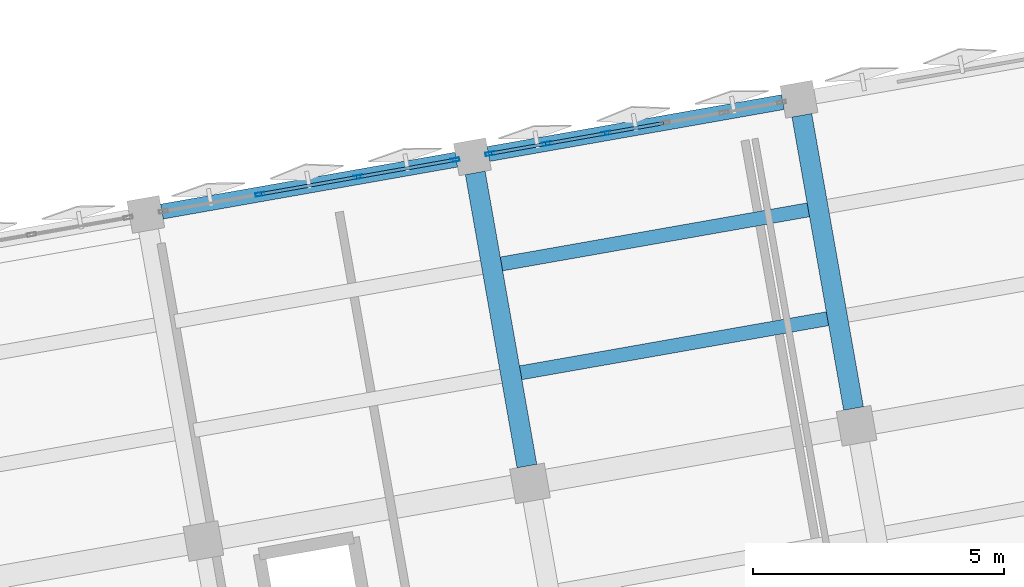
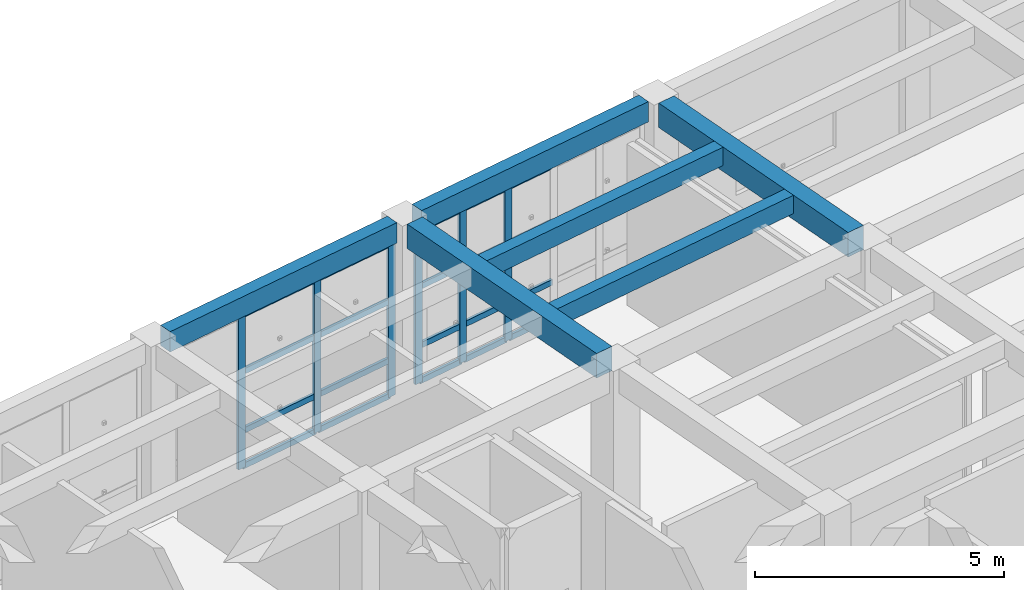
# One storey, part 8 of 39: 26 members, 6 beams, 2 elements without a shape of their own.
"""IFC4 building model written with IfcOpenShell, lengths in metres."""

from ifc_helpers import new_model, si_unit, direction, frame, origin, origin_2d, place, context, subcontext, project, spatial, rectangle, hollow_rectangle, extrude, material, layer, layer_set, material_profile, profile_set, type_object, element, aggregate, save


model = new_model("IFC4")

# Units and contexts
model_context = context("Model", 3, precision=1e-05, world=origin(), true_north=direction((0.0, 1.0)))
body_context = subcontext(model_context, "Body", "Model", "MODEL_VIEW")
ifc_project = project(units=[si_unit("LENGTHUNIT", "METRE"), si_unit("AREAUNIT", "SQUARE_METRE"), si_unit("VOLUMEUNIT", "CUBIC_METRE"), si_unit("PLANEANGLEUNIT", "RADIAN"), si_unit("MASSUNIT", "GRAM", prefix="KILO")], contexts=[model_context])

# Site, building, storey
site_placement = place(None, origin())
site = spatial("IfcSite", under=ifc_project, at=site_placement, CompositionType="ELEMENT")
building_placement = place(site_placement, origin())
building = spatial("IfcBuilding", under=site, at=building_placement, Name="Kharisveld Research Institute", CompositionType="ELEMENT")
storey_placement = place(building_placement, frame((0.0, 0.0, 23.10009765625)))
storey = spatial("IfcBuildingStorey", under=building, at=storey_placement, Name="L05", CompositionType="ELEMENT", Elevation=23.10009765625)

# Beams
ifc_material_1 = material(Name="Concrete C40/50", Category="concrete")
ifc_material_profile_1 = material_profile(ifc_material_1, rectangle(XDim=0.39990234375, YDim=0.60009765625, at=origin_2d()))
ifc_profile_set_1 = profile_set([ifc_material_profile_1], Name="Concrete C40/50")
beam_type_1 = type_object("IfcBeamType", Name="BM_RC_400x600", PredefinedType="BEAM", material=ifc_profile_set_1)
for number, where, z_axis, x_axis, name in (
    (1, (22.34619140625, 51.79248046875, 4.010009765625), (-0.173639592071, 0.984809266846, 0.0), (-0.984809266846, -0.173639592071, 0.0), "BM:V1:L05:V3_2"),
    (2, (28.845947265625, 52.9384765625, 4.010009765625), (-0.173639592071, 0.984809266846, 0.0), (-0.984809266846, -0.173639592071, 0.0), "BM:V1:L05:V4_2"),
):
    element("IfcBeam", number, at=place(storey_placement, frame(where, z_axis=z_axis, x_axis=x_axis)), inside=storey, type_object=beam_type_1, Name=name, PredefinedType="BEAM", context=body_context, shape_type="SweptSolid", body=[
        extrude(rectangle(XDim=0.39990234375, YDim=0.60009765625, at=origin_2d()), origin(), (0.0, 0.0, 1.0), 5.925048828125),
    ])

# Curtain wall, members
ifc_material_2 = material(Name="Thermally Broken Aluminium Curtain Wall", Category="aluminium")
ifc_layer_1 = layer(ifc_material_2, 0.159912109375)
ifc_layer_set_1 = layer_set([ifc_layer_1], Name="CW_SYS_06")
curtain_wall_type_1 = type_object("IfcCurtainWallType", Name="CW_SYS_06", PredefinedType="NOTDEFINED", material=ifc_layer_set_1)
curtain_wall_1_placement = place(storey_placement, origin())
curtain_wall_1 = element("IfcCurtainWall", 3, at=curtain_wall_1_placement, inside=storey, type_object=curtain_wall_type_1, Name="CW:V1:L05:N2", PredefinedType="NOTDEFINED")
ifc_material_3 = material(Name="Anodised Aluminium AW-6063-T6", Category="aluminium")
ifc_material_profile_2 = material_profile(ifc_material_3, hollow_rectangle(XDim=0.070068359375, YDim=0.179931640625, WallThickness=0.00439453125, at=origin_2d()))
ifc_profile_set_2 = profile_set([ifc_material_profile_2], Name="Anodised Aluminium AW-6063-T6")
member_type_1 = type_object("IfcMemberType", Name="CW_MUL_180", PredefinedType="MULLION", material=ifc_profile_set_2)
member_1_placement = place(storey_placement, frame((17.032958984375, 57.201904296875, 0.0), z_axis=(0.0, 0.0, 1.0), x_axis=(-0.173648266375, 0.984807737371, 0.0)))
member_1 = element("IfcMember", 4, at=member_1_placement, type_object=member_type_1, Name="CW-06 mullion 2", PredefinedType="MULLION", context=body_context, shape_type="SweptSolid", body=[
    extrude(hollow_rectangle(XDim=0.070068359375, YDim=0.179931640625, WallThickness=0.00439453125, at=origin_2d()), origin(), (0.0, 0.0, 1.0), 3.77978515625),
])
member_2_placement = place(storey_placement, frame((18.9892578125, 57.546875, 0.0), z_axis=(0.0, 0.0, 1.0), x_axis=(-0.173648266375, 0.984807737371, 0.0)))
member_2 = element("IfcMember", 5, at=member_2_placement, type_object=member_type_1, Name="CW-06 mullion 3", PredefinedType="MULLION", context=body_context, shape_type="SweptSolid", body=[
    extrude(hollow_rectangle(XDim=0.070068359375, YDim=0.179931640625, WallThickness=0.00439453125, at=origin_2d()), origin(), (0.0, 0.0, 1.0), 3.77978515625),
])
member_3_placement = place(storey_placement, frame((20.911376953125, 57.8857421875, 0.0), z_axis=(0.0, 0.0, 1.0), x_axis=(-0.173648266375, 0.984807737371, 0.0)))
member_3 = element("IfcMember", 6, at=member_3_placement, type_object=member_type_1, Name="CW-06 mullion 4", PredefinedType="MULLION", context=body_context, shape_type="SweptSolid", body=[
    extrude(hollow_rectangle(XDim=0.070068359375, YDim=0.179931640625, WallThickness=0.00439453125, at=origin_2d()), origin(), (0.0, 0.0, 1.0), 3.77978515625),
])

ifc_material_4 = material(Name="Thermally Broken Aluminium Curtain Wall", Category="aluminium")
ifc_layer_2 = layer(ifc_material_4, 0.159912109375)
ifc_layer_set_2 = layer_set([ifc_layer_2], Name="CW_SYS_01")
curtain_wall_type_2 = type_object("IfcCurtainWallType", Name="CW_SYS_01", PredefinedType="NOTDEFINED", material=ifc_layer_set_2)
curtain_wall_2_placement = place(storey_placement, origin())
curtain_wall_2 = element("IfcCurtainWall", 7, at=curtain_wall_2_placement, inside=storey, type_object=curtain_wall_type_2, Name="CW:V1:L05:N3", PredefinedType="NOTDEFINED")
member_4_placement = place(storey_placement, frame((21.610595703125, 58.009033203125, 0.0), z_axis=(0.0, 0.0, 1.0), x_axis=(-0.173648295062, 0.984807732312, 0.0)))
member_4 = element("IfcMember", 8, at=member_4_placement, type_object=member_type_1, Name="CW-01 mullion 1", PredefinedType="MULLION", context=body_context, shape_type="SweptSolid", body=[
    extrude(hollow_rectangle(XDim=0.070068359375, YDim=0.179931640625, WallThickness=0.00439453125, at=origin_2d()), origin(), (0.0, 0.0, 1.0), 3.77978515625),
])
member_5_placement = place(storey_placement, frame((22.75, 58.2099609375, 0.0), z_axis=(0.0, 0.0, 1.0), x_axis=(-0.173648295062, 0.984807732312, 0.0)))
member_5 = element("IfcMember", 9, at=member_5_placement, type_object=member_type_1, Name="CW-01 mullion 2", PredefinedType="MULLION", context=body_context, shape_type="SweptSolid", body=[
    extrude(hollow_rectangle(XDim=0.070068359375, YDim=0.179931640625, WallThickness=0.00439453125, at=origin_2d()), origin(), (0.0, 0.0, 1.0), 3.77978515625),
])
member_6_placement = place(storey_placement, frame((23.923828125, 58.4169921875, 0.0), z_axis=(0.0, 0.0, 1.0), x_axis=(-0.173648295062, 0.984807732312, 0.0)))
member_6 = element("IfcMember", 10, at=member_6_placement, type_object=member_type_1, Name="CW-01 mullion 3", PredefinedType="MULLION", context=body_context, shape_type="SweptSolid", body=[
    extrude(hollow_rectangle(XDim=0.070068359375, YDim=0.179931640625, WallThickness=0.00439453125, at=origin_2d()), origin(), (0.0, 0.0, 1.0), 3.77978515625),
])

# Member
ifc_material_5 = material(Name="Anodised Aluminium AW-6063-T6", Category="aluminium")
ifc_material_profile_3 = material_profile(ifc_material_5, hollow_rectangle(XDim=0.06494140625, YDim=0.139892578125, WallThickness=0.00390625, at=origin_2d()))
ifc_profile_set_3 = profile_set([ifc_material_profile_3], Name="Anodised Aluminium AW-6063-T6")
member_type_2 = type_object("IfcMemberType", Name="CW_TRN_140", PredefinedType="USERDEFINED", material=ifc_profile_set_3)
member_7_placement = place(storey_placement, frame((17.0673828125, 57.2080078125, 0.032470703125), z_axis=(0.984811758578, 0.173625459441, 0.0), x_axis=(-0.173625459441, 0.984811758578, 0.0)))
member_7 = element("IfcMember", 11, at=member_7_placement, type_object=member_type_2, Name="CW-06 transom 2.1", ObjectType="TRANSOM", PredefinedType="USERDEFINED", context=body_context, shape_type="SweptSolid", body=[
    extrude(hollow_rectangle(XDim=0.06494140625, YDim=0.139892578125, WallThickness=0.00390625, at=origin_2d()), origin(), (0.0, 0.0, 1.0), 1.91650390625),
])

member_8_placement = place(storey_placement, frame((17.0673828125, 57.2080078125, 0.89990234375), z_axis=(0.984811758578, 0.173625459441, 0.0), x_axis=(-0.173625459441, 0.984811758578, 0.0)))
member_8 = element("IfcMember", 12, at=member_8_placement, type_object=member_type_2, Name="CW-06 transom 2.2", ObjectType="TRANSOM", PredefinedType="USERDEFINED", context=body_context, shape_type="SweptSolid", body=[
    extrude(hollow_rectangle(XDim=0.06494140625, YDim=0.139892578125, WallThickness=0.00390625, at=origin_2d()), origin(), (0.0, 0.0, 1.0), 1.91650390625),
])

member_9_placement = place(storey_placement, frame((17.0673828125, 57.2080078125, 2.349853515625), z_axis=(0.984811758578, 0.173625459441, 0.0), x_axis=(-0.173625459441, 0.984811758578, 0.0)))
member_9 = element("IfcMember", 13, at=member_9_placement, type_object=member_type_2, Name="CW-06 transom 2.3", ObjectType="TRANSOM", PredefinedType="USERDEFINED", context=body_context, shape_type="SweptSolid", body=[
    extrude(hollow_rectangle(XDim=0.06494140625, YDim=0.139892578125, WallThickness=0.00390625, at=origin_2d()), origin(), (0.0, 0.0, 1.0), 1.91650390625),
])

member_10_placement = place(storey_placement, frame((17.0673828125, 57.2080078125, 3.747314453125), z_axis=(0.984811758578, 0.173625459441, 0.0), x_axis=(-0.173625459441, 0.984811758578, 0.0)))
member_10 = element("IfcMember", 14, at=member_10_placement, type_object=member_type_2, Name="CW-06 transom 2.4", ObjectType="TRANSOM", PredefinedType="USERDEFINED", context=body_context, shape_type="SweptSolid", body=[
    extrude(hollow_rectangle(XDim=0.06494140625, YDim=0.139892578125, WallThickness=0.00390625, at=origin_2d()), origin(), (0.0, 0.0, 1.0), 1.91650390625),
])

member_11_placement = place(storey_placement, frame((19.02392578125, 57.552978515625, 0.032470703125), z_axis=(0.984814892183, 0.173607684551, 0.0), x_axis=(-0.173607684551, 0.984814892183, 0.0)))
member_11 = element("IfcMember", 15, at=member_11_placement, type_object=member_type_2, Name="CW-06 transom 3.1", ObjectType="TRANSOM", PredefinedType="USERDEFINED", context=body_context, shape_type="SweptSolid", body=[
    extrude(hollow_rectangle(XDim=0.06494140625, YDim=0.139892578125, WallThickness=0.00390625, at=origin_2d()), origin(), (0.0, 0.0, 1.0), 1.881591796875),
])

member_12_placement = place(storey_placement, frame((19.02392578125, 57.552978515625, 0.89990234375), z_axis=(0.984814892183, 0.173607684551, 0.0), x_axis=(-0.173607684551, 0.984814892183, 0.0)))
member_12 = element("IfcMember", 16, at=member_12_placement, type_object=member_type_2, Name="CW-06 transom 3.2", ObjectType="TRANSOM", PredefinedType="USERDEFINED", context=body_context, shape_type="SweptSolid", body=[
    extrude(hollow_rectangle(XDim=0.06494140625, YDim=0.139892578125, WallThickness=0.00390625, at=origin_2d()), origin(), (0.0, 0.0, 1.0), 1.881591796875),
])

member_13_placement = place(storey_placement, frame((19.02392578125, 57.552978515625, 2.349853515625), z_axis=(0.984814892183, 0.173607684551, 0.0), x_axis=(-0.173607684551, 0.984814892183, 0.0)))
member_13 = element("IfcMember", 17, at=member_13_placement, type_object=member_type_2, Name="CW-06 transom 3.3", ObjectType="TRANSOM", PredefinedType="USERDEFINED", context=body_context, shape_type="SweptSolid", body=[
    extrude(hollow_rectangle(XDim=0.06494140625, YDim=0.139892578125, WallThickness=0.00390625, at=origin_2d()), origin(), (0.0, 0.0, 1.0), 1.881591796875),
])

member_14_placement = place(storey_placement, frame((19.02392578125, 57.552978515625, 3.747314453125), z_axis=(0.984814892183, 0.173607684551, 0.0), x_axis=(-0.173607684551, 0.984814892183, 0.0)))
member_14 = element("IfcMember", 18, at=member_14_placement, type_object=member_type_2, Name="CW-06 transom 3.4", ObjectType="TRANSOM", PredefinedType="USERDEFINED", context=body_context, shape_type="SweptSolid", body=[
    extrude(hollow_rectangle(XDim=0.06494140625, YDim=0.139892578125, WallThickness=0.00390625, at=origin_2d()), origin(), (0.0, 0.0, 1.0), 1.881591796875),
])

aggregate(curtain_wall_1, [member_1, member_2, member_3, member_7, member_8, member_9, member_10, member_11, member_12, member_13, member_14])

member_15_placement = place(storey_placement, frame((21.64501953125, 58.01513671875, 0.032470703125), z_axis=(0.984815195723, 0.173605962667, 0.0), x_axis=(-0.173605962667, 0.984815195723, 0.0)))
member_15 = element("IfcMember", 19, at=member_15_placement, type_object=member_type_2, Name="CW-01 transom 1.1", ObjectType="TRANSOM", PredefinedType="USERDEFINED", context=body_context, shape_type="SweptSolid", body=[
    extrude(hollow_rectangle(XDim=0.06494140625, YDim=0.139892578125, WallThickness=0.00390625, at=origin_2d()), origin(), (0.0, 0.0, 1.0), 1.087158203125),
])

member_16_placement = place(storey_placement, frame((21.64501953125, 58.01513671875, 0.89990234375), z_axis=(0.984815195723, 0.173605962667, 0.0), x_axis=(-0.173605962667, 0.984815195723, 0.0)))
member_16 = element("IfcMember", 20, at=member_16_placement, type_object=member_type_2, Name="CW-01 transom 1.2", ObjectType="TRANSOM", PredefinedType="USERDEFINED", context=body_context, shape_type="SweptSolid", body=[
    extrude(hollow_rectangle(XDim=0.06494140625, YDim=0.139892578125, WallThickness=0.00390625, at=origin_2d()), origin(), (0.0, 0.0, 1.0), 1.087158203125),
])

member_17_placement = place(storey_placement, frame((21.64501953125, 58.01513671875, 2.349853515625), z_axis=(0.984815195723, 0.173605962667, 0.0), x_axis=(-0.173605962667, 0.984815195723, 0.0)))
member_17 = element("IfcMember", 21, at=member_17_placement, type_object=member_type_2, Name="CW-01 transom 1.3", ObjectType="TRANSOM", PredefinedType="USERDEFINED", context=body_context, shape_type="SweptSolid", body=[
    extrude(hollow_rectangle(XDim=0.06494140625, YDim=0.139892578125, WallThickness=0.00390625, at=origin_2d()), origin(), (0.0, 0.0, 1.0), 1.087158203125),
])

member_18_placement = place(storey_placement, frame((21.64501953125, 58.01513671875, 3.747314453125), z_axis=(0.984815195723, 0.173605962667, 0.0), x_axis=(-0.173605962667, 0.984815195723, 0.0)))
member_18 = element("IfcMember", 22, at=member_18_placement, type_object=member_type_2, Name="CW-01 transom 1.4", ObjectType="TRANSOM", PredefinedType="USERDEFINED", context=body_context, shape_type="SweptSolid", body=[
    extrude(hollow_rectangle(XDim=0.06494140625, YDim=0.139892578125, WallThickness=0.00390625, at=origin_2d()), origin(), (0.0, 0.0, 1.0), 1.087158203125),
])

member_19_placement = place(storey_placement, frame((22.784423828125, 58.216064453125, 0.032470703125), z_axis=(0.984809833526, 0.173636378072, 0.0), x_axis=(-0.173636378072, 0.984809833526, 0.0)))
member_19 = element("IfcMember", 23, at=member_19_placement, type_object=member_type_2, Name="CW-01 transom 2.1", ObjectType="TRANSOM", PredefinedType="USERDEFINED", context=body_context, shape_type="SweptSolid", body=[
    extrude(hollow_rectangle(XDim=0.06494140625, YDim=0.139892578125, WallThickness=0.00390625, at=origin_2d()), origin(), (0.0, 0.0, 1.0), 1.1220703125),
])

member_20_placement = place(storey_placement, frame((22.784423828125, 58.216064453125, 0.89990234375), z_axis=(0.984809833526, 0.173636378072, 0.0), x_axis=(-0.173636378072, 0.984809833526, 0.0)))
member_20 = element("IfcMember", 24, at=member_20_placement, type_object=member_type_2, Name="CW-01 transom 2.2", ObjectType="TRANSOM", PredefinedType="USERDEFINED", context=body_context, shape_type="SweptSolid", body=[
    extrude(hollow_rectangle(XDim=0.06494140625, YDim=0.139892578125, WallThickness=0.00390625, at=origin_2d()), origin(), (0.0, 0.0, 1.0), 1.1220703125),
])

member_21_placement = place(storey_placement, frame((22.784423828125, 58.216064453125, 2.349853515625), z_axis=(0.984809833526, 0.173636378072, 0.0), x_axis=(-0.173636378072, 0.984809833526, 0.0)))
member_21 = element("IfcMember", 25, at=member_21_placement, type_object=member_type_2, Name="CW-01 transom 2.3", ObjectType="TRANSOM", PredefinedType="USERDEFINED", context=body_context, shape_type="SweptSolid", body=[
    extrude(hollow_rectangle(XDim=0.06494140625, YDim=0.139892578125, WallThickness=0.00390625, at=origin_2d()), origin(), (0.0, 0.0, 1.0), 1.1220703125),
])

member_22_placement = place(storey_placement, frame((22.784423828125, 58.216064453125, 3.747314453125), z_axis=(0.984809833526, 0.173636378072, 0.0), x_axis=(-0.173636378072, 0.984809833526, 0.0)))
member_22 = element("IfcMember", 26, at=member_22_placement, type_object=member_type_2, Name="CW-01 transom 2.4", ObjectType="TRANSOM", PredefinedType="USERDEFINED", context=body_context, shape_type="SweptSolid", body=[
    extrude(hollow_rectangle(XDim=0.06494140625, YDim=0.139892578125, WallThickness=0.00390625, at=origin_2d()), origin(), (0.0, 0.0, 1.0), 1.1220703125),
])

member_23_placement = place(storey_placement, frame((23.958251953125, 58.423095703125, 0.032470703125), z_axis=(0.984809833526, 0.173636378072, 0.0), x_axis=(-0.173636378072, 0.984809833526, 0.0)))
member_23 = element("IfcMember", 27, at=member_23_placement, type_object=member_type_2, Name="CW-01 transom 3.1", ObjectType="TRANSOM", PredefinedType="USERDEFINED", context=body_context, shape_type="SweptSolid", body=[
    extrude(hollow_rectangle(XDim=0.06494140625, YDim=0.139892578125, WallThickness=0.00390625, at=origin_2d()), origin(), (0.0, 0.0, 1.0), 1.1220703125),
])

member_24_placement = place(storey_placement, frame((23.958251953125, 58.423095703125, 0.89990234375), z_axis=(0.984809833526, 0.173636378072, 0.0), x_axis=(-0.173636378072, 0.984809833526, 0.0)))
member_24 = element("IfcMember", 28, at=member_24_placement, type_object=member_type_2, Name="CW-01 transom 3.2", ObjectType="TRANSOM", PredefinedType="USERDEFINED", context=body_context, shape_type="SweptSolid", body=[
    extrude(hollow_rectangle(XDim=0.06494140625, YDim=0.139892578125, WallThickness=0.00390625, at=origin_2d()), origin(), (0.0, 0.0, 1.0), 1.1220703125),
])

member_25_placement = place(storey_placement, frame((23.958251953125, 58.423095703125, 2.349853515625), z_axis=(0.984809833526, 0.173636378072, 0.0), x_axis=(-0.173636378072, 0.984809833526, 0.0)))
member_25 = element("IfcMember", 29, at=member_25_placement, type_object=member_type_2, Name="CW-01 transom 3.3", ObjectType="TRANSOM", PredefinedType="USERDEFINED", context=body_context, shape_type="SweptSolid", body=[
    extrude(hollow_rectangle(XDim=0.06494140625, YDim=0.139892578125, WallThickness=0.00390625, at=origin_2d()), origin(), (0.0, 0.0, 1.0), 1.1220703125),
])

member_26_placement = place(storey_placement, frame((23.958251953125, 58.423095703125, 3.747314453125), z_axis=(0.984809833526, 0.173636378072, 0.0), x_axis=(-0.173636378072, 0.984809833526, 0.0)))
member_26 = element("IfcMember", 30, at=member_26_placement, type_object=member_type_2, Name="CW-01 transom 3.4", ObjectType="TRANSOM", PredefinedType="USERDEFINED", context=body_context, shape_type="SweptSolid", body=[
    extrude(hollow_rectangle(XDim=0.06494140625, YDim=0.139892578125, WallThickness=0.00390625, at=origin_2d()), origin(), (0.0, 0.0, 1.0), 1.1220703125),
])

aggregate(curtain_wall_2, [member_4, member_5, member_6, member_15, member_16, member_17, member_18, member_19, member_20, member_21, member_22, member_23, member_24, member_25, member_26])

# Beams
ifc_material_6 = material(Name="Concrete C40/50", Category="concrete")
ifc_material_profile_4 = material_profile(ifc_material_6, rectangle(XDim=0.300048828125, YDim=0.5, at=origin_2d()))
ifc_profile_set_4 = profile_set([ifc_material_profile_4], Name="Concrete C40/50")
beam_type_2 = type_object("IfcBeamType", Name="SP_RC_300x500", PredefinedType="SPANDREL", material=ifc_profile_set_4)
for number, where, z_axis, x_axis, name in (
    (31, (15.081298828125, 56.857666015625, 4.059814453125), (0.984807920462, 0.173647228007, 0.0), (-0.173647228007, 0.984807920462, 0.0), "BM:V1:L05:U2_3"),
    (32, (21.5810546875, 58.00390625, 4.059814453125), (0.984807920462, 0.173647228007, 0.0), (-0.173647228007, 0.984807920462, 0.0), "BM:V1:L05:U3_3"),
):
    element("IfcBeam", number, at=place(storey_placement, frame(where, z_axis=z_axis, x_axis=x_axis)), inside=storey, type_object=beam_type_2, Name=name, PredefinedType="SPANDREL", context=body_context, shape_type="SweptSolid", body=[
        extrude(rectangle(XDim=0.300048828125, YDim=0.5, at=origin_2d()), origin(), (0.0, 0.0, 1.0), 5.949951171875),
    ])
ifc_material_7 = material(Name="Concrete C40/50", Category="concrete")
ifc_material_profile_5 = material_profile(ifc_material_7, rectangle(XDim=0.280029296875, YDim=0.449951171875, at=origin_2d()))
ifc_profile_set_5 = profile_set([ifc_material_profile_5], Name="Concrete C40/50")
beam_type_3 = type_object("IfcBeamType", Name="WB_RC_280x450", PredefinedType="JOIST", material=ifc_profile_set_5)
for number, where, z_axis, x_axis, name in (
    (33, (22.221923828125, 53.64892578125, 4.0849609375), (0.984807334084, 0.173650553511, 0.0), (-0.173650553511, 0.984807334084, 0.0), "BM:V1:L05:J_3_2_R1"),
    (34, (21.83984375, 55.815673828125, 4.0849609375), (0.984814067264, 0.173612363957, 0.0), (-0.173612363957, 0.984814067264, 0.0), "BM:V1:L05:J_3_2_R2"),
):
    element("IfcBeam", number, at=place(storey_placement, frame(where, z_axis=z_axis, x_axis=x_axis)), inside=storey, type_object=beam_type_3, Name=name, PredefinedType="JOIST", context=body_context, shape_type="SweptSolid", body=[
        extrude(rectangle(XDim=0.280029296875, YDim=0.449951171875, at=origin_2d()), origin(), (0.0, 0.0, 1.0), 6.2001953125),
    ])

save(model, "model.ifc")
